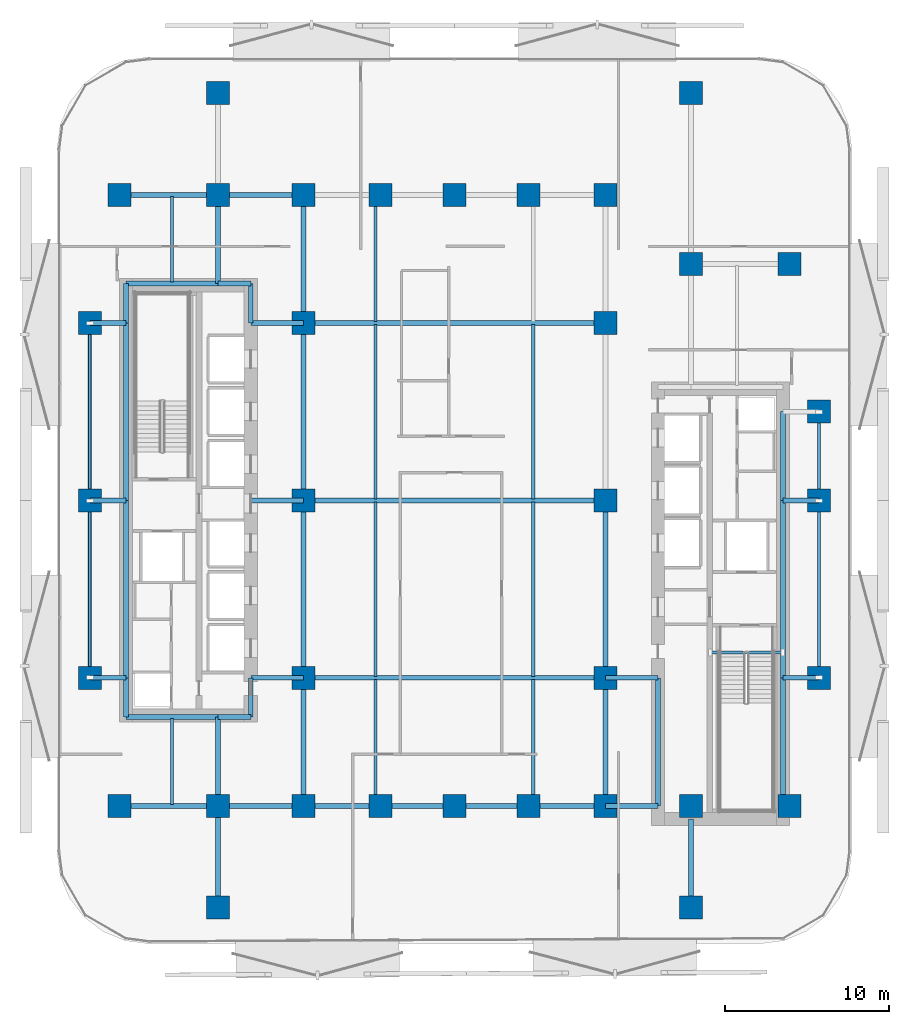
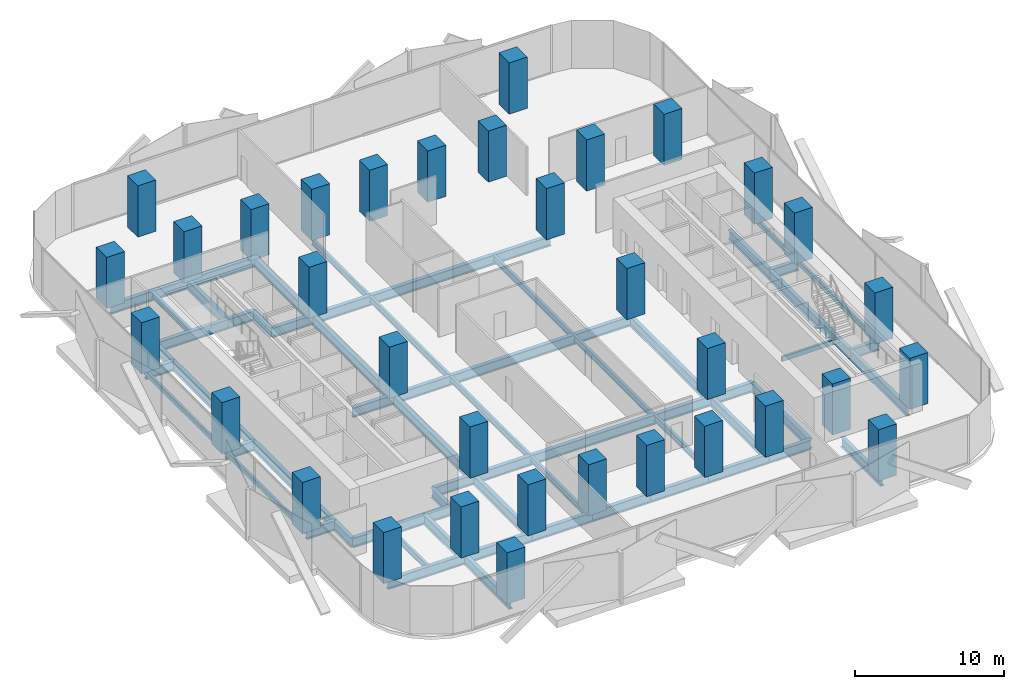
# One storey, part 1 of 15: 59 beams, 34 columns.
"""IFC4 building model written with IfcOpenShell, lengths in metres."""

from ifc_helpers import new_model, si_unit, direction, frame, origin, origin_2d, place, context, subcontext, project, spatial, rectangle, hollow_rectangle, i_section, extrude, material, material_profile, profile_set, type_object, element, save


model = new_model("IFC4")

# Units and contexts
model_context = context("Model", 3, precision=1e-05, world=origin(), true_north=direction((0.0, 1.0)))
body_context = subcontext(model_context, "Body", "Model", "MODEL_VIEW")
ifc_project = project(units=[si_unit("LENGTHUNIT", "METRE"), si_unit("AREAUNIT", "SQUARE_METRE"), si_unit("VOLUMEUNIT", "CUBIC_METRE"), si_unit("PLANEANGLEUNIT", "RADIAN"), si_unit("MASSUNIT", "GRAM", prefix="KILO")], contexts=[model_context])

# Site, building, storey
site_placement = place(None, origin())
site = spatial("IfcSite", under=ifc_project, at=site_placement, CompositionType="ELEMENT")
building_placement = place(site_placement, origin())
building = spatial("IfcBuilding", under=site, at=building_placement, Name="Khairoan Windgate Tower", CompositionType="ELEMENT")
storey_placement = place(building_placement, frame((0.0, 0.0, 38.60009765625)))
storey = spatial("IfcBuildingStorey", under=building, at=storey_placement, Name="L09", CompositionType="ELEMENT", Elevation=38.60009765625)

# Columns
ifc_material_1 = material(Name="Concrete C60/75", Category="concrete")
ifc_material_profile_1 = material_profile(ifc_material_1, rectangle(XDim=1.39990234375, YDim=1.39990234375, at=origin_2d()))
ifc_profile_set_1 = profile_set([ifc_material_profile_1], Name="Concrete C60/75")
column_type = type_object("IfcColumnType", Name="Column C-T2 RC1400x1400", PredefinedType="COLUMN", material=ifc_profile_set_1)
for number, where, z_axis, x_axis, name in (
    (1, (-9.199951171875, -18.60009765625, 0.0), (0.0, 0.0, 1.0), (1.0, 0.0, 0.0), "Column L09-01"),
    (2, (-9.199951171875, -10.800048828125, 0.0), (0.0, 0.0, 1.0), (1.0, 0.0, 0.0), "Column L09-02"),
    (3, (-9.199951171875, 0.0, 0.0), (0.0, 0.0, 1.0), (1.0, 0.0, 0.0), "Column L09-03"),
    (4, (-9.199951171875, 10.800048828125, 0.0), (0.0, 0.0, 1.0), (1.0, 0.0, 0.0), "Column L09-04"),
    (5, (-9.199951171875, 18.60009765625, 0.0), (0.0, 0.0, 1.0), (1.0, 0.0, 0.0), "Column L09-05"),
    (6, (9.199951171875, -18.60009765625, 0.0), (0.0, 0.0, 1.0), (1.0, 0.0, 0.0), "Column L09-06"),
    (7, (9.199951171875, -10.800048828125, 0.0), (0.0, 0.0, 1.0), (1.0, 0.0, 0.0), "Column L09-07"),
    (8, (9.199951171875, 0.0, 0.0), (0.0, 0.0, 1.0), (1.0, 0.0, 0.0), "Column L09-08"),
    (9, (9.199951171875, 10.800048828125, 0.0), (0.0, 0.0, 1.0), (1.0, 0.0, 0.0), "Column L09-09"),
    (10, (9.199951171875, 18.60009765625, 0.0), (0.0, 0.0, 1.0), (1.0, 0.0, 0.0), "Column L09-10"),
    (11, (-20.39990234375, -18.60009765625, 0.0), (0.0, 0.0, 1.0), (1.0, 0.0, 0.0), "Column L09-11"),
    (12, (-20.39990234375, 18.60009765625, 0.0), (0.0, 0.0, 1.0), (1.0, 0.0, 0.0), "Column L09-12"),
    (13, (20.39990234375, -18.60009765625, 0.0), (0.0, 0.0, 1.0), (1.0, 0.0, 0.0), "Column L09-13"),
    (14, (20.39990234375, 14.39990234375, 0.0), (0.0, 0.0, 1.0), (1.0, 0.0, 0.0), "Column L09-14"),
    (15, (-14.39990234375, -18.60009765625, 0.0), (0.0, 0.0, 1.0), (1.0, 0.0, 0.0), "Column L09-15"),
    (16, (-14.39990234375, 18.60009765625, 0.0), (0.0, 0.0, 1.0), (1.0, 0.0, 0.0), "Column L09-16"),
    (17, (14.39990234375, -18.60009765625, 0.0), (0.0, 0.0, 1.0), (1.0, 0.0, 0.0), "Column L09-17"),
    (18, (14.39990234375, 14.39990234375, 0.0), (0.0, 0.0, 1.0), (1.0, 0.0, 0.0), "Column L09-18"),
    (19, (-4.5, -18.60009765625, 0.0), (0.0, 0.0, 1.0), (1.0, 0.0, 0.0), "Column L09-19"),
    (20, (0.0, -18.60009765625, 0.0), (0.0, 0.0, 1.0), (1.0, 0.0, 0.0), "Column L09-20"),
    (21, (4.5, -18.60009765625, 0.0), (0.0, 0.0, 1.0), (1.0, 0.0, 0.0), "Column L09-21"),
    (22, (-4.5, 18.60009765625, 0.0), (0.0, 0.0, 1.0), (1.0, 0.0, 0.0), "Column L09-22"),
    (23, (0.0, 18.60009765625, 0.0), (0.0, 0.0, 1.0), (1.0, 0.0, 0.0), "Column L09-23"),
    (24, (4.5, 18.60009765625, 0.0), (0.0, 0.0, 1.0), (1.0, 0.0, 0.0), "Column L09-24"),
    (25, (-22.199951171875, -10.800048828125, 0.0), (0.0, 0.0, 1.0), (1.0, 0.0, 0.0), "Column L09-25"),
    (26, (-22.199951171875, 0.0, 0.0), (0.0, 0.0, 1.0), (1.0, 0.0, 0.0), "Column L09-26"),
    (27, (-22.199951171875, 10.800048828125, 0.0), (0.0, 0.0, 1.0), (1.0, 0.0, 0.0), "Column L09-27"),
    (28, (22.199951171875, -10.800048828125, 0.0), (0.0, 0.0, 1.0), (1.0, 0.0, 0.0), "Column L09-28"),
    (29, (22.199951171875, 0.0, 0.0), (0.0, 0.0, 1.0), (1.0, 0.0, 0.0), "Column L09-29"),
    (30, (22.199951171875, 5.39990234375, 0.0), (0.0, 0.0, 1.0), (1.0, 0.0, 0.0), "Column L09-30"),
    (31, (-14.39990234375, -24.800048828125, 0.0), (0.0, 0.0, 1.0), (1.0, 0.0, 0.0), "Column L09-31"),
    (32, (-14.39990234375, 24.800048828125, 0.0), (0.0, 0.0, 1.0), (1.0, 0.0, 0.0), "Column L09-32"),
    (33, (14.39990234375, -24.800048828125, 0.0), (0.0, 0.0, 1.0), (1.0, 0.0, 0.0), "Column L09-33"),
    (34, (14.39990234375, 24.800048828125, 0.0), (0.0, 0.0, 1.0), (1.0, 0.0, 0.0), "Column L09-34"),
):
    element("IfcColumn", number, at=place(storey_placement, frame(where, z_axis=z_axis, x_axis=x_axis)), inside=storey, type_object=column_type, Name=name, PredefinedType="COLUMN", context=body_context, shape_type="SweptSolid", body=[
        extrude(rectangle(XDim=1.39990234375, YDim=1.39990234375, at=origin_2d()), origin(), (0.0, 0.0, 1.0), 4.199951171875),
    ])

# Beams
ifc_material_2 = material(Name="Steel S355", Category="steel")
ifc_material_profile_2 = material_profile(ifc_material_2, i_section(OverallWidth=0.300048828125, OverallDepth=0.800048828125, WebThickness=0.013916015625, FlangeThickness=0.02587890625, FilletRadius=0.028076171875, at=origin_2d()))
ifc_profile_set_2 = profile_set([ifc_material_profile_2], Name="Steel S355")
beam_type_1 = type_object("IfcBeamType", Name="Beam B-G2 H800x300x14x26", PredefinedType="BEAM", material=ifc_profile_set_2)
beam_1_placement = place(storey_placement, frame((-20.39990234375, -18.60009765625, -0.66015625), z_axis=(1.0, 0.0, 0.0), x_axis=(0.0, 1.0, 0.0)))
element("IfcBeam", 35, at=beam_1_placement, inside=storey, type_object=beam_type_1, Name="L09 E-W Primary Girder 01", PredefinedType="BEAM", context=body_context, shape_type="SweptSolid", body=[
    extrude(i_section(OverallWidth=0.300048828125, OverallDepth=0.800048828125, WebThickness=0.013916015625, FlangeThickness=0.02587890625, FilletRadius=0.028076171875, at=origin_2d()), origin(), (0.0, 0.0, 1.0), 6.0),
])
beam_2_placement = place(storey_placement, frame((-14.39990234375, -18.60009765625, -0.66015625), z_axis=(1.0, 0.0, 0.0), x_axis=(0.0, 1.0, 0.0)))
element("IfcBeam", 36, at=beam_2_placement, inside=storey, type_object=beam_type_1, Name="L09 E-W Primary Girder 02", PredefinedType="BEAM", context=body_context, shape_type="SweptSolid", body=[
    extrude(i_section(OverallWidth=0.300048828125, OverallDepth=0.800048828125, WebThickness=0.013916015625, FlangeThickness=0.02587890625, FilletRadius=0.028076171875, at=origin_2d()), origin(), (0.0, 0.0, 1.0), 5.199951171875),
])
beam_3_placement = place(storey_placement, frame((-9.199951171875, -18.60009765625, -0.66015625), z_axis=(1.0, 0.0, 0.0), x_axis=(0.0, 1.0, 0.0)))
element("IfcBeam", 37, at=beam_3_placement, inside=storey, type_object=beam_type_1, Name="L09 E-W Primary Girder 03", PredefinedType="BEAM", context=body_context, shape_type="SweptSolid", body=[
    extrude(i_section(OverallWidth=0.300048828125, OverallDepth=0.800048828125, WebThickness=0.013916015625, FlangeThickness=0.02587890625, FilletRadius=0.028076171875, at=origin_2d()), origin(), (0.0, 0.0, 1.0), 4.699951171875),
])
for number, where, z_axis, x_axis, name in (
    (38, (-4.5, -18.60009765625, -0.66015625), (1.0, 0.0, 0.0), (0.0, 1.0, 0.0), "L09 E-W Primary Girder 04"),
    (39, (0.0, -18.60009765625, -0.66015625), (1.0, 0.0, 0.0), (0.0, 1.0, 0.0), "L09 E-W Primary Girder 05"),
):
    element("IfcBeam", number, at=place(storey_placement, frame(where, z_axis=z_axis, x_axis=x_axis)), inside=storey, type_object=beam_type_1, Name=name, PredefinedType="BEAM", context=body_context, shape_type="SweptSolid", body=[
        extrude(i_section(OverallWidth=0.300048828125, OverallDepth=0.800048828125, WebThickness=0.013916015625, FlangeThickness=0.02587890625, FilletRadius=0.028076171875, at=origin_2d()), origin(), (0.0, 0.0, 1.0), 4.5),
    ])
beam_4_placement = place(storey_placement, frame((4.5, -18.60009765625, -0.66015625), z_axis=(1.0, 0.0, 0.0), x_axis=(0.0, 1.0, 0.0)))
element("IfcBeam", 40, at=beam_4_placement, inside=storey, type_object=beam_type_1, Name="L09 E-W Primary Girder 06", PredefinedType="BEAM", context=body_context, shape_type="SweptSolid", body=[
    extrude(i_section(OverallWidth=0.300048828125, OverallDepth=0.800048828125, WebThickness=0.013916015625, FlangeThickness=0.02587890625, FilletRadius=0.028076171875, at=origin_2d()), origin(), (0.0, 0.0, 1.0), 4.699951171875),
])
beam_5_placement = place(storey_placement, frame((9.199951171875, -18.60009765625, -0.66015625), z_axis=(1.0, 0.0, 0.0), x_axis=(0.0, 1.0, 0.0)))
element("IfcBeam", 41, at=beam_5_placement, inside=storey, type_object=beam_type_1, Name="L09 E-W Primary Girder 07", PredefinedType="BEAM", context=body_context, shape_type="SweptSolid", body=[
    extrude(i_section(OverallWidth=0.300048828125, OverallDepth=0.800048828125, WebThickness=0.013916015625, FlangeThickness=0.02587890625, FilletRadius=0.028076171875, at=origin_2d()), origin(), (0.0, 0.0, 1.0), 3.199951171875),
])
beam_6_placement = place(storey_placement, frame((-20.0, -13.199951171875, -0.66015625), z_axis=(1.0, 0.0, 0.0), x_axis=(0.0, 1.0, 0.0)))
element("IfcBeam", 42, at=beam_6_placement, inside=storey, type_object=beam_type_1, Name="L09 E-W Primary Girder 08", PredefinedType="BEAM", context=body_context, shape_type="SweptSolid", body=[
    extrude(i_section(OverallWidth=0.300048828125, OverallDepth=0.800048828125, WebThickness=0.013916015625, FlangeThickness=0.02587890625, FilletRadius=0.028076171875, at=origin_2d()), origin(), (0.0, 0.0, 1.0), 5.60009765625),
])
beam_7_placement = place(storey_placement, frame((-14.39990234375, -13.199951171875, -0.66015625), z_axis=(1.0, 0.0, 0.0), x_axis=(0.0, 1.0, 0.0)))
element("IfcBeam", 43, at=beam_7_placement, inside=storey, type_object=beam_type_1, Name="L09 E-W Primary Girder 09", PredefinedType="BEAM", context=body_context, shape_type="SweptSolid", body=[
    extrude(i_section(OverallWidth=0.300048828125, OverallDepth=0.800048828125, WebThickness=0.013916015625, FlangeThickness=0.02587890625, FilletRadius=0.028076171875, at=origin_2d()), origin(), (0.0, 0.0, 1.0), 2.0),
])
beam_8_placement = place(storey_placement, frame((-22.199951171875, -10.800048828125, -0.66015625), z_axis=(1.0, 0.0, 0.0), x_axis=(0.0, 1.0, 0.0)))
element("IfcBeam", 44, at=beam_8_placement, inside=storey, type_object=beam_type_1, Name="L09 E-W Primary Girder 10", PredefinedType="BEAM", context=body_context, shape_type="SweptSolid", body=[
    extrude(i_section(OverallWidth=0.300048828125, OverallDepth=0.800048828125, WebThickness=0.013916015625, FlangeThickness=0.02587890625, FilletRadius=0.028076171875, at=origin_2d()), origin(), (0.0, 0.0, 1.0), 2.199951171875),
])
beam_9_placement = place(storey_placement, frame((-12.39990234375, -10.800048828125, -0.66015625), z_axis=(1.0, 0.0, 0.0), x_axis=(0.0, 1.0, 0.0)))
element("IfcBeam", 45, at=beam_9_placement, inside=storey, type_object=beam_type_1, Name="L09 E-W Primary Girder 11", PredefinedType="BEAM", context=body_context, shape_type="SweptSolid", body=[
    extrude(i_section(OverallWidth=0.300048828125, OverallDepth=0.800048828125, WebThickness=0.013916015625, FlangeThickness=0.02587890625, FilletRadius=0.028076171875, at=origin_2d()), origin(), (0.0, 0.0, 1.0), 3.199951171875),
])
beam_10_placement = place(storey_placement, frame((-9.199951171875, -10.800048828125, -0.66015625), z_axis=(1.0, 0.0, 0.0), x_axis=(0.0, 1.0, 0.0)))
element("IfcBeam", 46, at=beam_10_placement, inside=storey, type_object=beam_type_1, Name="L09 E-W Primary Girder 12", PredefinedType="BEAM", context=body_context, shape_type="SweptSolid", body=[
    extrude(i_section(OverallWidth=0.300048828125, OverallDepth=0.800048828125, WebThickness=0.013916015625, FlangeThickness=0.02587890625, FilletRadius=0.028076171875, at=origin_2d()), origin(), (0.0, 0.0, 1.0), 18.39990234375),
])
beam_11_placement = place(storey_placement, frame((9.199951171875, -10.800048828125, -0.66015625), z_axis=(1.0, 0.0, 0.0), x_axis=(0.0, 1.0, 0.0)))
element("IfcBeam", 47, at=beam_11_placement, inside=storey, type_object=beam_type_1, Name="L09 E-W Primary Girder 13", PredefinedType="BEAM", context=body_context, shape_type="SweptSolid", body=[
    extrude(i_section(OverallWidth=0.300048828125, OverallDepth=0.800048828125, WebThickness=0.013916015625, FlangeThickness=0.02587890625, FilletRadius=0.028076171875, at=origin_2d()), origin(), (0.0, 0.0, 1.0), 3.199951171875),
])
for number, where, z_axis, x_axis, name in (
    (48, (20.0, -10.800048828125, -0.66015625), (1.0, 0.0, 0.0), (0.0, 1.0, 0.0), "L09 E-W Primary Girder 14"),
    (49, (-22.199951171875, 0.0, -0.66015625), (1.0, 0.0, 0.0), (0.0, 1.0, 0.0), "L09 E-W Primary Girder 15"),
):
    element("IfcBeam", number, at=place(storey_placement, frame(where, z_axis=z_axis, x_axis=x_axis)), inside=storey, type_object=beam_type_1, Name=name, PredefinedType="BEAM", context=body_context, shape_type="SweptSolid", body=[
        extrude(i_section(OverallWidth=0.300048828125, OverallDepth=0.800048828125, WebThickness=0.013916015625, FlangeThickness=0.02587890625, FilletRadius=0.028076171875, at=origin_2d()), origin(), (0.0, 0.0, 1.0), 2.199951171875),
    ])
beam_12_placement = place(storey_placement, frame((-12.39990234375, 0.0, -0.66015625), z_axis=(1.0, 0.0, 0.0), x_axis=(0.0, 1.0, 0.0)))
element("IfcBeam", 50, at=beam_12_placement, inside=storey, type_object=beam_type_1, Name="L09 E-W Primary Girder 16", PredefinedType="BEAM", context=body_context, shape_type="SweptSolid", body=[
    extrude(i_section(OverallWidth=0.300048828125, OverallDepth=0.800048828125, WebThickness=0.013916015625, FlangeThickness=0.02587890625, FilletRadius=0.028076171875, at=origin_2d()), origin(), (0.0, 0.0, 1.0), 3.199951171875),
])
beam_13_placement = place(storey_placement, frame((-9.199951171875, 0.0, -0.66015625), z_axis=(1.0, 0.0, 0.0), x_axis=(0.0, 1.0, 0.0)))
element("IfcBeam", 51, at=beam_13_placement, inside=storey, type_object=beam_type_1, Name="L09 E-W Primary Girder 17", PredefinedType="BEAM", context=body_context, shape_type="SweptSolid", body=[
    extrude(i_section(OverallWidth=0.300048828125, OverallDepth=0.800048828125, WebThickness=0.013916015625, FlangeThickness=0.02587890625, FilletRadius=0.028076171875, at=origin_2d()), origin(), (0.0, 0.0, 1.0), 18.39990234375),
])
for number, where, z_axis, x_axis, name in (
    (52, (20.0, 0.0, -0.66015625), (1.0, 0.0, 0.0), (0.0, 1.0, 0.0), "L09 E-W Primary Girder 18"),
    (53, (-22.199951171875, 10.800048828125, -0.66015625), (1.0, 0.0, 0.0), (0.0, 1.0, 0.0), "L09 E-W Primary Girder 22"),
):
    element("IfcBeam", number, at=place(storey_placement, frame(where, z_axis=z_axis, x_axis=x_axis)), inside=storey, type_object=beam_type_1, Name=name, PredefinedType="BEAM", context=body_context, shape_type="SweptSolid", body=[
        extrude(i_section(OverallWidth=0.300048828125, OverallDepth=0.800048828125, WebThickness=0.013916015625, FlangeThickness=0.02587890625, FilletRadius=0.028076171875, at=origin_2d()), origin(), (0.0, 0.0, 1.0), 2.199951171875),
    ])
beam_14_placement = place(storey_placement, frame((-12.39990234375, 10.800048828125, -0.66015625), z_axis=(1.0, 0.0, 0.0), x_axis=(0.0, 1.0, 0.0)))
element("IfcBeam", 54, at=beam_14_placement, inside=storey, type_object=beam_type_1, Name="L09 E-W Primary Girder 23", PredefinedType="BEAM", context=body_context, shape_type="SweptSolid", body=[
    extrude(i_section(OverallWidth=0.300048828125, OverallDepth=0.800048828125, WebThickness=0.013916015625, FlangeThickness=0.02587890625, FilletRadius=0.028076171875, at=origin_2d()), origin(), (0.0, 0.0, 1.0), 3.199951171875),
])
beam_15_placement = place(storey_placement, frame((-9.199951171875, 10.800048828125, -0.66015625), z_axis=(1.0, 0.0, 0.0), x_axis=(0.0, 1.0, 0.0)))
element("IfcBeam", 55, at=beam_15_placement, inside=storey, type_object=beam_type_1, Name="L09 E-W Primary Girder 24", PredefinedType="BEAM", context=body_context, shape_type="SweptSolid", body=[
    extrude(i_section(OverallWidth=0.300048828125, OverallDepth=0.800048828125, WebThickness=0.013916015625, FlangeThickness=0.02587890625, FilletRadius=0.028076171875, at=origin_2d()), origin(), (0.0, 0.0, 1.0), 18.39990234375),
])
beam_16_placement = place(storey_placement, frame((-20.0, 13.199951171875, -0.66015625), z_axis=(1.0, 0.0, 0.0), x_axis=(0.0, 1.0, 0.0)))
element("IfcBeam", 56, at=beam_16_placement, inside=storey, type_object=beam_type_1, Name="L09 E-W Primary Girder 25", PredefinedType="BEAM", context=body_context, shape_type="SweptSolid", body=[
    extrude(i_section(OverallWidth=0.300048828125, OverallDepth=0.800048828125, WebThickness=0.013916015625, FlangeThickness=0.02587890625, FilletRadius=0.028076171875, at=origin_2d()), origin(), (0.0, 0.0, 1.0), 5.60009765625),
])
beam_17_placement = place(storey_placement, frame((-14.39990234375, 13.199951171875, -0.66015625), z_axis=(1.0, 0.0, 0.0), x_axis=(0.0, 1.0, 0.0)))
element("IfcBeam", 57, at=beam_17_placement, inside=storey, type_object=beam_type_1, Name="L09 E-W Primary Girder 26", PredefinedType="BEAM", context=body_context, shape_type="SweptSolid", body=[
    extrude(i_section(OverallWidth=0.300048828125, OverallDepth=0.800048828125, WebThickness=0.013916015625, FlangeThickness=0.02587890625, FilletRadius=0.028076171875, at=origin_2d()), origin(), (0.0, 0.0, 1.0), 2.0),
])
beam_18_placement = place(storey_placement, frame((-20.39990234375, 18.60009765625, -0.66015625), z_axis=(1.0, 0.0, 0.0), x_axis=(0.0, 1.0, 0.0)))
element("IfcBeam", 58, at=beam_18_placement, inside=storey, type_object=beam_type_1, Name="L09 E-W Primary Girder 28", PredefinedType="BEAM", context=body_context, shape_type="SweptSolid", body=[
    extrude(i_section(OverallWidth=0.300048828125, OverallDepth=0.800048828125, WebThickness=0.013916015625, FlangeThickness=0.02587890625, FilletRadius=0.028076171875, at=origin_2d()), origin(), (0.0, 0.0, 1.0), 6.0),
])
beam_19_placement = place(storey_placement, frame((-14.39990234375, 18.60009765625, -0.66015625), z_axis=(1.0, 0.0, 0.0), x_axis=(0.0, 1.0, 0.0)))
element("IfcBeam", 59, at=beam_19_placement, inside=storey, type_object=beam_type_1, Name="L09 E-W Primary Girder 29", PredefinedType="BEAM", context=body_context, shape_type="SweptSolid", body=[
    extrude(i_section(OverallWidth=0.300048828125, OverallDepth=0.800048828125, WebThickness=0.013916015625, FlangeThickness=0.02587890625, FilletRadius=0.028076171875, at=origin_2d()), origin(), (0.0, 0.0, 1.0), 5.199951171875),
])
beam_20_placement = place(storey_placement, frame((-20.0, -13.199951171875, -0.66015625), z_axis=(0.0, 1.0, 0.0), x_axis=(-1.0, 0.0, 0.0)))
element("IfcBeam", 60, at=beam_20_placement, inside=storey, type_object=beam_type_1, Name="L09 N-S Primary Beam 36", PredefinedType="BEAM", context=body_context, shape_type="SweptSolid", body=[
    extrude(i_section(OverallWidth=0.300048828125, OverallDepth=0.800048828125, WebThickness=0.013916015625, FlangeThickness=0.02587890625, FilletRadius=0.028076171875, at=origin_2d()), origin(), (0.0, 0.0, 1.0), 2.39990234375),
])
for number, where, z_axis, x_axis, name in (
    (61, (-20.0, -10.800048828125, -0.66015625), (0.0, 1.0, 0.0), (-1.0, 0.0, 0.0), "L09 N-S Primary Beam 37"),
    (62, (-20.0, 0.0, -0.66015625), (0.0, 1.0, 0.0), (-1.0, 0.0, 0.0), "L09 N-S Primary Beam 38"),
):
    element("IfcBeam", number, at=place(storey_placement, frame(where, z_axis=z_axis, x_axis=x_axis)), inside=storey, type_object=beam_type_1, Name=name, PredefinedType="BEAM", context=body_context, shape_type="SweptSolid", body=[
        extrude(i_section(OverallWidth=0.300048828125, OverallDepth=0.800048828125, WebThickness=0.013916015625, FlangeThickness=0.02587890625, FilletRadius=0.028076171875, at=origin_2d()), origin(), (0.0, 0.0, 1.0), 10.800048828125),
    ])
beam_21_placement = place(storey_placement, frame((-20.0, 10.800048828125, -0.66015625), z_axis=(0.0, 1.0, 0.0), x_axis=(-1.0, 0.0, 0.0)))
element("IfcBeam", 63, at=beam_21_placement, inside=storey, type_object=beam_type_1, Name="L09 N-S Primary Beam 39", PredefinedType="BEAM", context=body_context, shape_type="SweptSolid", body=[
    extrude(i_section(OverallWidth=0.300048828125, OverallDepth=0.800048828125, WebThickness=0.013916015625, FlangeThickness=0.02587890625, FilletRadius=0.028076171875, at=origin_2d()), origin(), (0.0, 0.0, 1.0), 2.39990234375),
])
beam_22_placement = place(storey_placement, frame((-14.39990234375, -24.800048828125, -0.66015625), z_axis=(0.0, 1.0, 0.0), x_axis=(-1.0, 0.0, 0.0)))
element("IfcBeam", 64, at=beam_22_placement, inside=storey, type_object=beam_type_1, Name="L09 N-S Primary Beam 40", PredefinedType="BEAM", context=body_context, shape_type="SweptSolid", body=[
    extrude(i_section(OverallWidth=0.300048828125, OverallDepth=0.800048828125, WebThickness=0.013916015625, FlangeThickness=0.02587890625, FilletRadius=0.028076171875, at=origin_2d()), origin(), (0.0, 0.0, 1.0), 6.199951171875),
])
for number, where, z_axis, x_axis, name in (
    (65, (-14.39990234375, -18.60009765625, -0.66015625), (0.0, 1.0, 0.0), (-1.0, 0.0, 0.0), "L09 N-S Primary Beam 41"),
    (66, (-14.39990234375, 13.199951171875, -0.66015625), (0.0, 1.0, 0.0), (-1.0, 0.0, 0.0), "L09 N-S Primary Beam 42"),
):
    element("IfcBeam", number, at=place(storey_placement, frame(where, z_axis=z_axis, x_axis=x_axis)), inside=storey, type_object=beam_type_1, Name=name, PredefinedType="BEAM", context=body_context, shape_type="SweptSolid", body=[
        extrude(i_section(OverallWidth=0.300048828125, OverallDepth=0.800048828125, WebThickness=0.013916015625, FlangeThickness=0.02587890625, FilletRadius=0.028076171875, at=origin_2d()), origin(), (0.0, 0.0, 1.0), 5.400146484375),
    ])
for number, where, z_axis, x_axis, name in (
    (67, (-12.39990234375, -13.199951171875, -0.66015625), (0.0, 1.0, 0.0), (-1.0, 0.0, 0.0), "L09 N-S Primary Beam 44"),
    (68, (-12.39990234375, 10.800048828125, -0.66015625), (0.0, 1.0, 0.0), (-1.0, 0.0, 0.0), "L09 N-S Primary Beam 45"),
):
    element("IfcBeam", number, at=place(storey_placement, frame(where, z_axis=z_axis, x_axis=x_axis)), inside=storey, type_object=beam_type_1, Name=name, PredefinedType="BEAM", context=body_context, shape_type="SweptSolid", body=[
        extrude(i_section(OverallWidth=0.300048828125, OverallDepth=0.800048828125, WebThickness=0.013916015625, FlangeThickness=0.02587890625, FilletRadius=0.028076171875, at=origin_2d()), origin(), (0.0, 0.0, 1.0), 2.39990234375),
    ])
beam_23_placement = place(storey_placement, frame((-9.199951171875, -18.60009765625, -0.66015625), z_axis=(0.0, 1.0, 0.0), x_axis=(-1.0, 0.0, 0.0)))
element("IfcBeam", 69, at=beam_23_placement, inside=storey, type_object=beam_type_1, Name="L09 N-S Primary Beam 46", PredefinedType="BEAM", context=body_context, shape_type="SweptSolid", body=[
    extrude(i_section(OverallWidth=0.300048828125, OverallDepth=0.800048828125, WebThickness=0.013916015625, FlangeThickness=0.02587890625, FilletRadius=0.028076171875, at=origin_2d()), origin(), (0.0, 0.0, 1.0), 7.800048828125),
])
for number, where, z_axis, x_axis, name in (
    (70, (-9.199951171875, -10.800048828125, -0.66015625), (0.0, 1.0, 0.0), (-1.0, 0.0, 0.0), "L09 N-S Primary Beam 47"),
    (71, (-9.199951171875, 0.0, -0.66015625), (0.0, 1.0, 0.0), (-1.0, 0.0, 0.0), "L09 N-S Primary Beam 48"),
):
    element("IfcBeam", number, at=place(storey_placement, frame(where, z_axis=z_axis, x_axis=x_axis)), inside=storey, type_object=beam_type_1, Name=name, PredefinedType="BEAM", context=body_context, shape_type="SweptSolid", body=[
        extrude(i_section(OverallWidth=0.300048828125, OverallDepth=0.800048828125, WebThickness=0.013916015625, FlangeThickness=0.02587890625, FilletRadius=0.028076171875, at=origin_2d()), origin(), (0.0, 0.0, 1.0), 10.800048828125),
    ])
for number, where, z_axis, x_axis, name in (
    (72, (-9.199951171875, 10.800048828125, -0.66015625), (0.0, 1.0, 0.0), (-1.0, 0.0, 0.0), "L09 N-S Primary Beam 49"),
    (73, (9.199951171875, -18.60009765625, -0.66015625), (0.0, 1.0, 0.0), (-1.0, 0.0, 0.0), "L09 N-S Primary Beam 50"),
):
    element("IfcBeam", number, at=place(storey_placement, frame(where, z_axis=z_axis, x_axis=x_axis)), inside=storey, type_object=beam_type_1, Name=name, PredefinedType="BEAM", context=body_context, shape_type="SweptSolid", body=[
        extrude(i_section(OverallWidth=0.300048828125, OverallDepth=0.800048828125, WebThickness=0.013916015625, FlangeThickness=0.02587890625, FilletRadius=0.028076171875, at=origin_2d()), origin(), (0.0, 0.0, 1.0), 7.800048828125),
    ])
beam_24_placement = place(storey_placement, frame((9.199951171875, -10.800048828125, -0.66015625), z_axis=(0.0, 1.0, 0.0), x_axis=(-1.0, 0.0, 0.0)))
element("IfcBeam", 74, at=beam_24_placement, inside=storey, type_object=beam_type_1, Name="L09 N-S Primary Beam 51", PredefinedType="BEAM", context=body_context, shape_type="SweptSolid", body=[
    extrude(i_section(OverallWidth=0.300048828125, OverallDepth=0.800048828125, WebThickness=0.013916015625, FlangeThickness=0.02587890625, FilletRadius=0.028076171875, at=origin_2d()), origin(), (0.0, 0.0, 1.0), 10.800048828125),
])
beam_25_placement = place(storey_placement, frame((12.39990234375, -18.60009765625, -0.66015625), z_axis=(0.0, 1.0, 0.0), x_axis=(-1.0, 0.0, 0.0)))
element("IfcBeam", 75, at=beam_25_placement, inside=storey, type_object=beam_type_1, Name="L09 N-S Primary Beam 54", PredefinedType="BEAM", context=body_context, shape_type="SweptSolid", body=[
    extrude(i_section(OverallWidth=0.300048828125, OverallDepth=0.800048828125, WebThickness=0.013916015625, FlangeThickness=0.02587890625, FilletRadius=0.028076171875, at=origin_2d()), origin(), (0.0, 0.0, 1.0), 7.800048828125),
])
beam_26_placement = place(storey_placement, frame((14.39990234375, -24.800048828125, -0.66015625), z_axis=(0.0, 1.0, 0.0), x_axis=(-1.0, 0.0, 0.0)))
element("IfcBeam", 76, at=beam_26_placement, inside=storey, type_object=beam_type_1, Name="L09 N-S Primary Beam 55", PredefinedType="BEAM", context=body_context, shape_type="SweptSolid", body=[
    extrude(i_section(OverallWidth=0.300048828125, OverallDepth=0.800048828125, WebThickness=0.013916015625, FlangeThickness=0.02587890625, FilletRadius=0.028076171875, at=origin_2d()), origin(), (0.0, 0.0, 1.0), 5.400146484375),
])
beam_27_placement = place(storey_placement, frame((20.0, -18.60009765625, -0.66015625), z_axis=(0.0, 1.0, 0.0), x_axis=(-1.0, 0.0, 0.0)))
element("IfcBeam", 77, at=beam_27_placement, inside=storey, type_object=beam_type_1, Name="L09 N-S Primary Beam 58", PredefinedType="BEAM", context=body_context, shape_type="SweptSolid", body=[
    extrude(i_section(OverallWidth=0.300048828125, OverallDepth=0.800048828125, WebThickness=0.013916015625, FlangeThickness=0.02587890625, FilletRadius=0.028076171875, at=origin_2d()), origin(), (0.0, 0.0, 1.0), 7.800048828125),
])
beam_28_placement = place(storey_placement, frame((20.0, -10.800048828125, -0.66015625), z_axis=(0.0, 1.0, 0.0), x_axis=(-1.0, 0.0, 0.0)))
element("IfcBeam", 78, at=beam_28_placement, inside=storey, type_object=beam_type_1, Name="L09 N-S Primary Beam 59", PredefinedType="BEAM", context=body_context, shape_type="SweptSolid", body=[
    extrude(i_section(OverallWidth=0.300048828125, OverallDepth=0.800048828125, WebThickness=0.013916015625, FlangeThickness=0.02587890625, FilletRadius=0.028076171875, at=origin_2d()), origin(), (0.0, 0.0, 1.0), 10.800048828125),
])
beam_29_placement = place(storey_placement, frame((20.0, 0.0, -0.66015625), z_axis=(0.0, 1.0, 0.0), x_axis=(-1.0, 0.0, 0.0)))
element("IfcBeam", 79, at=beam_29_placement, inside=storey, type_object=beam_type_1, Name="L09 N-S Primary Beam 60", PredefinedType="BEAM", context=body_context, shape_type="SweptSolid", body=[
    extrude(i_section(OverallWidth=0.300048828125, OverallDepth=0.800048828125, WebThickness=0.013916015625, FlangeThickness=0.02587890625, FilletRadius=0.028076171875, at=origin_2d()), origin(), (0.0, 0.0, 1.0), 5.39990234375),
])
ifc_material_3 = material(Name="Steel S355", Category="steel")
ifc_material_profile_3 = material_profile(ifc_material_3, i_section(OverallWidth=0.199951171875, OverallDepth=0.5, WebThickness=0.010009765625, FlangeThickness=0.01611328125, FilletRadius=0.02001953125, at=origin_2d()))
ifc_profile_set_3 = profile_set([ifc_material_profile_3], Name="Steel S355")
beam_type_2 = type_object("IfcBeamType", Name="Beam J-S2 H500x200x10x16", PredefinedType="JOIST", material=ifc_profile_set_3)
for number, where, z_axis, x_axis, name in (
    (80, (-17.199951171875, -18.510009765625, -0.510009765625), (0.0, 1.0, 0.0), (-1.0, 0.0, 0.0), "L09 Secondary Floor Joist 01"),
    (81, (-17.199951171875, 13.2900390625, -0.510009765625), (0.0, 1.0, 0.0), (-1.0, 0.0, 0.0), "L09 Secondary Floor Joist 02"),
):
    element("IfcBeam", number, at=place(storey_placement, frame(where, z_axis=z_axis, x_axis=x_axis)), inside=storey, type_object=beam_type_2, Name=name, PredefinedType="JOIST", context=body_context, shape_type="SweptSolid", body=[
        extrude(i_section(OverallWidth=0.199951171875, OverallDepth=0.5, WebThickness=0.010009765625, FlangeThickness=0.01611328125, FilletRadius=0.02001953125, at=origin_2d()), origin(), (0.0, 0.0, 1.0), 5.219970703125),
    ])
beam_30_placement = place(storey_placement, frame((-4.800048828125, -18.510009765625, -0.510009765625), z_axis=(0.0, 1.0, 0.0), x_axis=(-1.0, 0.0, 0.0)))
element("IfcBeam", 82, at=beam_30_placement, inside=storey, type_object=beam_type_2, Name="L09 Secondary Floor Joist 03", PredefinedType="JOIST", context=body_context, shape_type="SweptSolid", body=[
    extrude(i_section(OverallWidth=0.199951171875, OverallDepth=0.5, WebThickness=0.010009765625, FlangeThickness=0.01611328125, FilletRadius=0.02001953125, at=origin_2d()), origin(), (0.0, 0.0, 1.0), 7.6201171875),
])
for number, where, z_axis, x_axis, name in (
    (83, (-4.800048828125, -10.7099609375, -0.510009765625), (0.0, 1.0, 0.0), (-1.0, 0.0, 0.0), "L09 Secondary Floor Joist 04"),
    (84, (-4.800048828125, 0.090087890625, -0.510009765625), (0.0, 1.0, 0.0), (-1.0, 0.0, 0.0), "L09 Secondary Floor Joist 05"),
):
    element("IfcBeam", number, at=place(storey_placement, frame(where, z_axis=z_axis, x_axis=x_axis)), inside=storey, type_object=beam_type_2, Name=name, PredefinedType="JOIST", context=body_context, shape_type="SweptSolid", body=[
        extrude(i_section(OverallWidth=0.199951171875, OverallDepth=0.5, WebThickness=0.010009765625, FlangeThickness=0.01611328125, FilletRadius=0.02001953125, at=origin_2d()), origin(), (0.0, 0.0, 1.0), 10.619873046875),
    ])
for number, where, z_axis, x_axis, name in (
    (85, (-4.800048828125, 10.889892578125, -0.510009765625), (0.0, 1.0, 0.0), (-1.0, 0.0, 0.0), "L09 Secondary Floor Joist 06"),
    (86, (4.800048828125, -18.510009765625, -0.510009765625), (0.0, 1.0, 0.0), (-1.0, 0.0, 0.0), "L09 Secondary Floor Joist 07"),
):
    element("IfcBeam", number, at=place(storey_placement, frame(where, z_axis=z_axis, x_axis=x_axis)), inside=storey, type_object=beam_type_2, Name=name, PredefinedType="JOIST", context=body_context, shape_type="SweptSolid", body=[
        extrude(i_section(OverallWidth=0.199951171875, OverallDepth=0.5, WebThickness=0.010009765625, FlangeThickness=0.01611328125, FilletRadius=0.02001953125, at=origin_2d()), origin(), (0.0, 0.0, 1.0), 7.6201171875),
    ])
for number, where, z_axis, x_axis, name in (
    (87, (4.800048828125, -10.7099609375, -0.510009765625), (0.0, 1.0, 0.0), (-1.0, 0.0, 0.0), "L09 Secondary Floor Joist 08"),
    (88, (4.800048828125, 0.090087890625, -0.510009765625), (0.0, 1.0, 0.0), (-1.0, 0.0, 0.0), "L09 Secondary Floor Joist 09"),
):
    element("IfcBeam", number, at=place(storey_placement, frame(where, z_axis=z_axis, x_axis=x_axis)), inside=storey, type_object=beam_type_2, Name=name, PredefinedType="JOIST", context=body_context, shape_type="SweptSolid", body=[
        extrude(i_section(OverallWidth=0.199951171875, OverallDepth=0.5, WebThickness=0.010009765625, FlangeThickness=0.01611328125, FilletRadius=0.02001953125, at=origin_2d()), origin(), (0.0, 0.0, 1.0), 10.619873046875),
    ])
ifc_material_4 = material(Name="Steel S355", Category="steel")
ifc_material_profile_4 = material_profile(ifc_material_4, hollow_rectangle(XDim=0.199951171875, YDim=0.39990234375, WallThickness=0.013916015625, InnerFilletRadius=0.013916015625, OuterFilletRadius=0.028076171875, at=origin_2d()))
ifc_profile_set_4 = profile_set([ifc_material_profile_4], Name="Steel S355")
beam_type_3 = type_object("IfcBeamType", Name="Beam SP-B1 RHS400x200x14", PredefinedType="SPANDREL", material=ifc_profile_set_4)
for number, where, z_axis, x_axis, name in (
    (89, (-22.199951171875, -10.800048828125, -0.460205078125), (0.0, 1.0, 0.0), (-1.0, 0.0, 0.0), "L09 Spandrel Beam 34"),
    (90, (-22.199951171875, 0.0, -0.460205078125), (0.0, 1.0, 0.0), (-1.0, 0.0, 0.0), "L09 Spandrel Beam 35"),
    (91, (22.199951171875, -10.800048828125, -0.460205078125), (0.0, 1.0, 0.0), (-1.0, 0.0, 0.0), "L09 Spandrel Beam 61"),
):
    element("IfcBeam", number, at=place(storey_placement, frame(where, z_axis=z_axis, x_axis=x_axis)), inside=storey, type_object=beam_type_3, Name=name, PredefinedType="SPANDREL", context=body_context, shape_type="SweptSolid", body=[
        extrude(hollow_rectangle(XDim=0.199951171875, YDim=0.39990234375, WallThickness=0.013916015625, InnerFilletRadius=0.013916015625, OuterFilletRadius=0.028076171875, at=origin_2d()), origin(), (0.0, 0.0, 1.0), 10.800048828125),
    ])
beam_31_placement = place(storey_placement, frame((22.199951171875, 0.0, -0.460205078125), z_axis=(0.0, 1.0, 0.0), x_axis=(-1.0, 0.0, 0.0)))
element("IfcBeam", 92, at=beam_31_placement, inside=storey, type_object=beam_type_3, Name="L09 Spandrel Beam 62", PredefinedType="SPANDREL", context=body_context, shape_type="SweptSolid", body=[
    extrude(hollow_rectangle(XDim=0.199951171875, YDim=0.39990234375, WallThickness=0.013916015625, InnerFilletRadius=0.013916015625, OuterFilletRadius=0.028076171875, at=origin_2d()), origin(), (0.0, 0.0, 1.0), 5.39990234375),
])
beam_32_placement = place(storey_placement, frame((15.550048828125, -9.260009765625, -0.460205078125), z_axis=(1.0, 0.0, 0.0), x_axis=(0.0, 1.0, 0.0)))
element("IfcBeam", 93, at=beam_32_placement, inside=storey, type_object=beam_type_3, Name="Stair ST1 Landing Trimmer Beam L09", PredefinedType="SPANDREL", context=body_context, shape_type="SweptSolid", body=[
    extrude(hollow_rectangle(XDim=0.199951171875, YDim=0.39990234375, WallThickness=0.013916015625, InnerFilletRadius=0.013916015625, OuterFilletRadius=0.028076171875, at=origin_2d()), origin(), (0.0, 0.0, 1.0), 4.449951171875),
])

save(model, "model.ifc")
